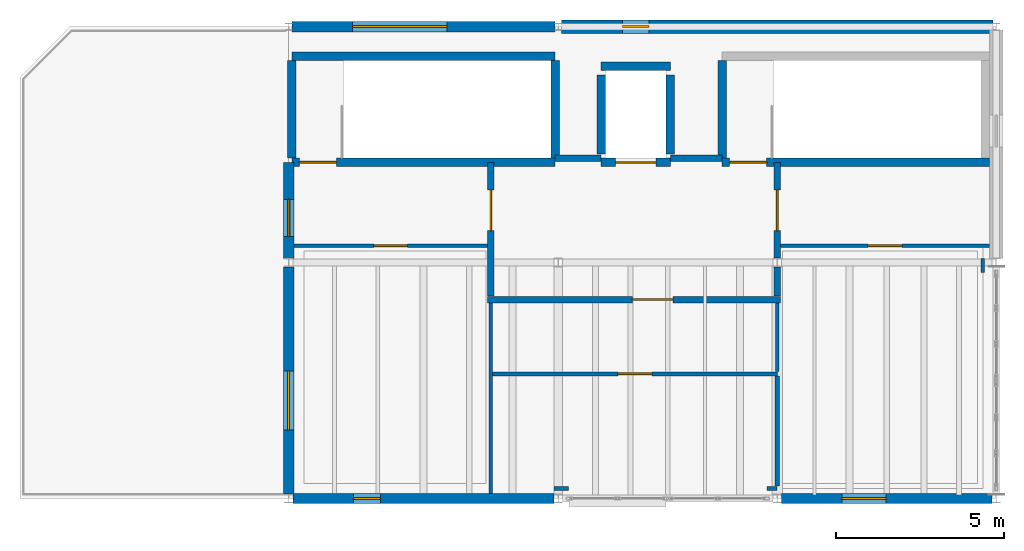
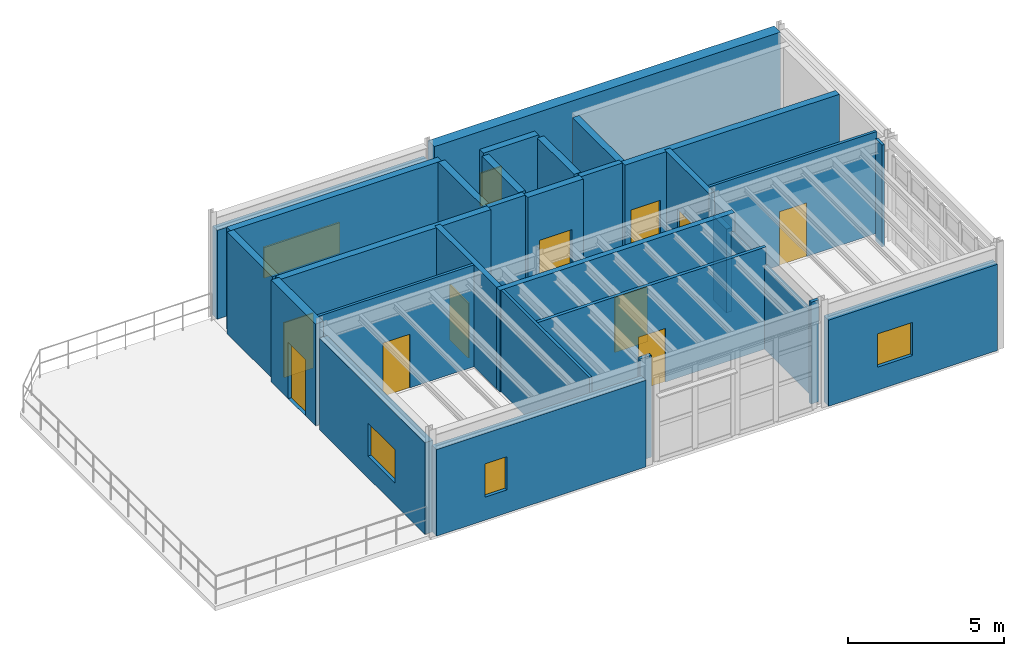
# One storey, part 6 of 8: 31 walls, 10 doors, 5 windows, 15 openings.
"""IFC4 building model written with IfcOpenShell, lengths in metres."""

from ifc_helpers import new_model, si_unit, direction, frame, frame_2d, origin, place, context, subcontext, project, spatial, rectangle, extrude, material, layer, layer_set, type_object, element, fill, save


model = new_model("IFC4")

# Units and contexts
model_context = context("Model", 3, precision=1e-05, world=origin(), true_north=direction((0.0, 1.0)))
body_context = subcontext(model_context, "Body", "Model", "MODEL_VIEW")
ifc_project = project(units=[si_unit("LENGTHUNIT", "METRE"), si_unit("AREAUNIT", "SQUARE_METRE"), si_unit("VOLUMEUNIT", "CUBIC_METRE"), si_unit("PLANEANGLEUNIT", "RADIAN"), si_unit("MASSUNIT", "GRAM", prefix="KILO"), si_unit("THERMODYNAMICTEMPERATUREUNIT", "KELVIN"), si_unit("POWERUNIT", "WATT")], contexts=[model_context])

# Site, building, storey
site_placement = place(None, origin())
site = spatial("IfcSite", under=ifc_project, at=site_placement, CompositionType="ELEMENT")
building_placement = place(site_placement, origin())
building = spatial("IfcBuilding", under=site, at=building_placement, Name="Zhenchuan Central Fire Station", CompositionType="ELEMENT")
storey_placement = place(building_placement, frame((0.0, 0.0, 22.64990234375)))
storey = spatial("IfcBuildingStorey", under=building, at=storey_placement, Name="L06", CompositionType="ELEMENT", Elevation=22.64990234375)

# Wall, opening, window
ifc_material_1 = material(Name="Sintered clay brick masonry MU15", Category="masonry")
ifc_layer_1 = layer(ifc_material_1, 0.300048828125, Name="Sintered clay brick masonry MU15", Category="masonry")
ifc_layer_set_1 = layer_set([ifc_layer_1], Name="Sintered clay brick masonry MU15")
wall_type_1 = type_object("IfcWallType", Name="EW-BRK300", PredefinedType="SOLIDWALL", material=ifc_layer_set_1)
wall_1_placement = place(storey_placement, frame((140.10009765625, 56.5, 0.0), z_axis=(0.0, 0.0, 1.0), x_axis=(1.0, 0.0, 0.0)))
wall_1 = element("IfcWall", 1, at=wall_1_placement, inside=storey, type_object=wall_type_1, Name="EW-L06-V6N-0", PredefinedType="SOLIDWALL", context=body_context, shape_type="SweptSolid", body=[
    extrude(rectangle(XDim=7.7998046875, YDim=0.300048828125, at=frame_2d((3.89990234375, 0.0))), origin(), (0.0, 0.0, 1.0), 3.47412109375),
])
opening_1_placement = place(wall_1_placement, frame((1.800048828125, 0.0, 0.89990234375)))
opening_1 = element("IfcOpeningElement", 2, at=opening_1_placement, cuts=wall_1, Name="Opening W-38", PredefinedType="OPENING", context=body_context, shape_type="SweptSolid", body=[
    extrude(rectangle(XDim=2.800048828125, YDim=1.199951171875, at=frame_2d((1.39990234375, 0.60009765625))), frame((0.0, 0.159912109375, 0.0), z_axis=(0.0, -1.0, 0.0), x_axis=(1.0, 0.0, 0.0)), (0.0, 0.0, 1.0), 0.320068359375),
])
ifc_material_2 = material(Name="Laminated low-E double glazing in aluminium frame", Category="aluminium")
window_type_1 = type_object("IfcWindowType", Name="WN-38", PartitioningType="SINGLE_PANEL", PredefinedType="WINDOW", material=ifc_material_2)
window_1_placement = place(opening_1_placement, origin())
window_1 = element("IfcWindow", 3, at=window_1_placement, inside=storey, type_object=window_type_1, Name="Exterior Window 0138", OverallHeight=1.199951171875, OverallWidth=2.800048828125, PartitioningType="SINGLE_PANEL", PredefinedType="WINDOW", context=body_context, shape_type="SweptSolid", body=[
    extrude(rectangle(XDim=2.800048828125, YDim=1.199951171875, at=frame_2d((1.39990234375, 0.60009765625))), frame((0.0, 0.030029296875, 0.0), z_axis=(0.0, -1.0, 0.0), x_axis=(1.0, 0.0, 0.0)), (0.0, 0.0, 1.0), 0.06005859375),
])
fill(opening_1, window_1)

wall_2_placement = place(storey_placement, frame((140.0, 42.625, 0.0), z_axis=(0.0, 0.0, 1.0), x_axis=(0.0, 1.0, 0.0)))
wall_2 = element("IfcWall", 4, at=wall_2_placement, inside=storey, type_object=wall_type_1, Name="EW-L06-V6W-0", PredefinedType="SOLIDWALL", context=body_context, shape_type="SweptSolid", body=[
    extrude(rectangle(XDim=6.75, YDim=0.300048828125, at=frame_2d((3.375, 0.0))), origin(), (0.0, 0.0, 1.0), 3.583984375),
])
opening_2_placement = place(wall_2_placement, frame((1.89990234375, 0.0, 0.85009765625)))
opening_2 = element("IfcOpeningElement", 5, at=opening_2_placement, cuts=wall_2, Name="Opening W-43", PredefinedType="OPENING", context=body_context, shape_type="SweptSolid", body=[
    extrude(rectangle(XDim=1.75, YDim=1.300048828125, at=frame_2d((0.875, 0.64990234375))), frame((0.0, 0.159912109375, 0.0), z_axis=(0.0, -1.0, 0.0), x_axis=(1.0, 0.0, 0.0)), (0.0, 0.0, 1.0), 0.320068359375),
])
window_type_2 = type_object("IfcWindowType", Name="WN-43", PartitioningType="SINGLE_PANEL", PredefinedType="WINDOW", material=ifc_material_2)
window_2_placement = place(opening_2_placement, origin())
window_2 = element("IfcWindow", 6, at=window_2_placement, inside=storey, type_object=window_type_2, Name="Exterior Window 0141", OverallHeight=1.300048828125, OverallWidth=1.75, PartitioningType="SINGLE_PANEL", PredefinedType="WINDOW", context=body_context, shape_type="SweptSolid", body=[
    extrude(rectangle(XDim=1.75, YDim=1.300048828125, at=frame_2d((0.875, 0.64990234375))), frame((0.0, 0.030029296875, 0.0), z_axis=(0.0, -1.0, 0.0), x_axis=(1.0, 0.0, 0.0)), (0.0, 0.0, 1.0), 0.06005859375),
])
fill(opening_2, window_2)

# Wall, opening, door
wall_3_placement = place(storey_placement, frame((140.0, 49.625, 0.0), z_axis=(0.0, 0.0, 1.0), x_axis=(0.0, 1.0, 0.0)))
wall_3 = element("IfcWall", 7, at=wall_3_placement, inside=storey, type_object=wall_type_1, Name="EW-L06-V6W-1", PredefinedType="SOLIDWALL", context=body_context, shape_type="SweptSolid", body=[
    extrude(rectangle(XDim=2.85009765625, YDim=0.300048828125, at=frame_2d((1.425048828125, 0.0))), origin(), (0.0, 0.0, 1.0), 3.97998046875),
])
opening_3_placement = place(wall_3_placement, frame((0.64990234375, 0.0, 0.0)))
opening_3 = element("IfcOpeningElement", 8, at=opening_3_placement, cuts=wall_3, Name="Opening TD-014", PredefinedType="OPENING", context=body_context, shape_type="SweptSolid", body=[
    extrude(rectangle(XDim=1.10009765625, YDim=2.199951171875, at=frame_2d((0.550048828125, 1.10009765625))), frame((0.0, 0.159912109375, 0.0), z_axis=(0.0, -1.0, 0.0), x_axis=(1.0, 0.0, 0.0)), (0.0, 0.0, 1.0), 0.320068359375),
])
ifc_material_3 = material(Name="Thermally broken aluminium terrace door", Category="aluminium")
door_type_1 = type_object("IfcDoorType", Name="ED-110x220", OperationType="NOTDEFINED", PredefinedType="DOOR", material=ifc_material_3)
door_1_placement = place(opening_3_placement, origin())
door_1 = element("IfcDoor", 9, at=door_1_placement, inside=storey, type_object=door_type_1, Name="Drill Tower L06 Rescue Terrace Door", OperationType="SINGLE_SWING_LEFT", OverallHeight=2.199951171875, OverallWidth=1.10009765625, PredefinedType="DOOR", context=body_context, shape_type="SweptSolid", body=[
    extrude(rectangle(XDim=1.10009765625, YDim=2.199951171875, at=frame_2d((0.550048828125, 1.10009765625))), frame((0.0, 0.02490234375, 0.0), z_axis=(0.0, -1.0, 0.0), x_axis=(1.0, 0.0, 0.0)), (0.0, 0.0, 1.0), 0.050048828125),
])
fill(opening_3, door_1)

# Wall, opening, window
wall_4_placement = place(storey_placement, frame((140.125, 42.5, 0.0), z_axis=(0.0, 0.0, 1.0), x_axis=(1.0, 0.0, 0.0)))
wall_4 = element("IfcWall", 10, at=wall_4_placement, inside=storey, type_object=wall_type_1, Name="EW-L06-V6S-0", PredefinedType="SOLIDWALL", context=body_context, shape_type="SweptSolid", body=[
    extrude(rectangle(XDim=7.75, YDim=0.300048828125, at=frame_2d((3.875, 0.0))), origin(), (0.0, 0.0, 1.0), 3.385986328125),
])
opening_4_placement = place(wall_4_placement, frame((1.800048828125, 0.0, 0.89990234375)))
opening_4 = element("IfcOpeningElement", 11, at=opening_4_placement, cuts=wall_4, Name="Opening W-39", PredefinedType="OPENING", context=body_context, shape_type="SweptSolid", body=[
    extrude(rectangle(XDim=0.800048828125, YDim=1.300048828125, at=frame_2d((0.39990234375, 0.64990234375))), frame((0.0, 0.159912109375, 0.0), z_axis=(0.0, -1.0, 0.0), x_axis=(1.0, 0.0, 0.0)), (0.0, 0.0, 1.0), 0.320068359375),
])
window_type_3 = type_object("IfcWindowType", Name="WN-39", PartitioningType="SINGLE_PANEL", PredefinedType="WINDOW", material=ifc_material_2)
window_3_placement = place(opening_4_placement, origin())
window_3 = element("IfcWindow", 12, at=window_3_placement, inside=storey, type_object=window_type_3, Name="Exterior Window 0142", OverallHeight=1.300048828125, OverallWidth=0.800048828125, PartitioningType="SINGLE_PANEL", PredefinedType="WINDOW", context=body_context, shape_type="SweptSolid", body=[
    extrude(rectangle(XDim=0.800048828125, YDim=1.300048828125, at=frame_2d((0.39990234375, 0.64990234375))), frame((0.0, 0.030029296875, 0.0), z_axis=(0.0, -1.0, 0.0), x_axis=(1.0, 0.0, 0.0)), (0.0, 0.0, 1.0), 0.06005859375),
])
fill(opening_4, window_3)

wall_5_placement = place(storey_placement, frame((154.625, 42.5, 0.0), z_axis=(0.0, 0.0, 1.0), x_axis=(1.0, 0.0, 0.0)))
wall_5 = element("IfcWall", 13, at=wall_5_placement, inside=storey, type_object=wall_type_1, Name="EW-L06-V6S-2", PredefinedType="SOLIDWALL", context=body_context, shape_type="SweptSolid", body=[
    extrude(rectangle(XDim=6.25, YDim=0.300048828125, at=frame_2d((3.125, 0.0))), origin(), (0.0, 0.0, 1.0), 3.3740234375),
])
opening_5_placement = place(wall_5_placement, frame((1.800048828125, 0.0, 0.89990234375)))
opening_5 = element("IfcOpeningElement", 14, at=opening_5_placement, cuts=wall_5, Name="Opening W-41", PredefinedType="OPENING", context=body_context, shape_type="SweptSolid", body=[
    extrude(rectangle(XDim=1.300048828125, YDim=1.300048828125, at=frame_2d((0.64990234375, 0.64990234375))), frame((0.0, 0.159912109375, 0.0), z_axis=(0.0, -1.0, 0.0), x_axis=(1.0, 0.0, 0.0)), (0.0, 0.0, 1.0), 0.320068359375),
])
window_type_4 = type_object("IfcWindowType", Name="WN-41", PartitioningType="SINGLE_PANEL", PredefinedType="WINDOW", material=ifc_material_2)
window_4_placement = place(opening_5_placement, origin())
window_4 = element("IfcWindow", 15, at=window_4_placement, inside=storey, type_object=window_type_4, Name="Exterior Window 0143", OverallHeight=1.300048828125, OverallWidth=1.300048828125, PartitioningType="SINGLE_PANEL", PredefinedType="WINDOW", context=body_context, shape_type="SweptSolid", body=[
    extrude(rectangle(XDim=1.300048828125, YDim=1.300048828125, at=frame_2d((0.64990234375, 0.64990234375))), frame((0.0, 0.030029296875, 0.0), z_axis=(0.0, -1.0, 0.0), x_axis=(1.0, 0.0, 0.0)), (0.0, 0.0, 1.0), 0.06005859375),
])
fill(opening_5, window_4)

ifc_material_4 = material(Name="Concrete C40/50", Category="concrete")
ifc_layer_2 = layer(ifc_material_4, 0.39990234375, Name="Concrete C40/50", Category="concrete")
ifc_layer_set_2 = layer_set([ifc_layer_2], Name="Concrete C40/50")
wall_type_2 = type_object("IfcWallType", Name="EW-RC400", PredefinedType="SHEAR", material=ifc_layer_set_2)
wall_6_placement = place(storey_placement, frame((148.10009765625, 56.5, 0.0), z_axis=(0.0, 0.0, 1.0), x_axis=(1.0, 0.0, 0.0)))
wall_6 = element("IfcWall", 16, at=wall_6_placement, inside=storey, type_object=wall_type_2, Name="EW-L06-V6N-1", PredefinedType="SHEAR", context=body_context, shape_type="SweptSolid", body=[
    extrude(rectangle(XDim=12.7998046875, YDim=0.39990234375, at=frame_2d((6.39990234375, 0.0))), origin(), (0.0, 0.0, 1.0), 3.97998046875),
])
opening_6_placement = place(wall_6_placement, frame((1.800048828125, 0.0, 0.89990234375)))
opening_6 = element("IfcOpeningElement", 17, at=opening_6_placement, cuts=wall_6, Name="Opening W-39", PredefinedType="OPENING", context=body_context, shape_type="SweptSolid", body=[
    extrude(rectangle(XDim=0.800048828125, YDim=1.300048828125, at=frame_2d((0.39990234375, 0.64990234375))), frame((0.0, 0.2099609375, 0.0), z_axis=(0.0, -1.0, 0.0), x_axis=(1.0, 0.0, 0.0)), (0.0, 0.0, 1.0), 0.419921875),
])
window_5_placement = place(opening_6_placement, origin())
window_5 = element("IfcWindow", 18, at=window_5_placement, inside=storey, type_object=window_type_3, Name="Exterior Window 0139", OverallHeight=1.300048828125, OverallWidth=0.800048828125, PartitioningType="SINGLE_PANEL", PredefinedType="WINDOW", context=body_context, shape_type="SweptSolid", body=[
    extrude(rectangle(XDim=0.800048828125, YDim=1.300048828125, at=frame_2d((0.39990234375, 0.64990234375))), frame((0.0, 0.030029296875, 0.0), z_axis=(0.0, -1.0, 0.0), x_axis=(1.0, 0.0, 0.0)), (0.0, 0.0, 1.0), 0.06005859375),
])
fill(opening_6, window_5)

# Walls
ifc_material_5 = material(Name="Autoclaved aerated concrete blockwork", Category="masonry")
ifc_layer_3 = layer(ifc_material_5, 0.199951171875, Name="Autoclaved aerated concrete blockwork", Category="masonry")
ifc_layer_set_3 = layer_set([ifc_layer_3], Name="Autoclaved aerated concrete blockwork")
wall_type_3 = type_object("IfcWallType", Name="IW-FIR200", PredefinedType="PARTITIONING", material=ifc_layer_set_3)
wall_7_placement = place(storey_placement, frame((147.908935546875, 52.60009765625, 0.0), z_axis=(0.0, 0.0, 1.0), x_axis=(1.0, 0.0, 0.0)))
element("IfcWall", 19, at=wall_7_placement, inside=storey, type_object=wall_type_3, Name="L06 Firefighting Lobby North-West Infill Wall", PredefinedType="PARTITIONING", context=body_context, shape_type="SweptSolid", body=[
    extrude(rectangle(XDim=1.362060546875, YDim=0.199951171875, at=frame_2d((0.68115234375, 0.0))), origin(), (0.0, 0.0, 1.0), 3.97998046875),
])
wall_8_placement = place(storey_placement, frame((151.3291015625, 52.60009765625, 0.0), z_axis=(0.0, 0.0, 1.0), x_axis=(1.0, 0.0, 0.0)))
element("IfcWall", 20, at=wall_8_placement, inside=storey, type_object=wall_type_3, Name="L06 Firefighting Lobby North-East Infill Wall", PredefinedType="PARTITIONING", context=body_context, shape_type="SweptSolid", body=[
    extrude(rectangle(XDim=1.531982421875, YDim=0.199951171875, at=frame_2d((0.76611328125, 0.0))), origin(), (0.0, 0.0, 1.0), 3.97998046875),
])

# Wall, opening, door
wall_9_placement = place(storey_placement, frame((145.89990234375, 48.39990234375, 0.0), z_axis=(0.0, 0.0, 1.0), x_axis=(1.0, 0.0, 0.0)))
wall_9 = element("IfcWall", 21, at=wall_9_placement, inside=storey, type_object=wall_type_3, Name="L06 Firefighting Lift Lobby South Wall", PredefinedType="PARTITIONING", context=body_context, shape_type="SweptSolid", body=[
    extrude(rectangle(XDim=8.7001953125, YDim=0.199951171875, at=frame_2d((4.35009765625, 0.0))), origin(), (0.0, 0.0, 1.0), 3.97998046875),
])
opening_7_placement = place(wall_9_placement, frame((4.300048828125, 0.0, 0.0)))
opening_7 = element("IfcOpeningElement", 22, at=opening_7_placement, cuts=wall_9, Name="Opening D-063", PredefinedType="OPENING", context=body_context, shape_type="SweptSolid", body=[
    extrude(rectangle(XDim=1.199951171875, YDim=2.14990234375, at=frame_2d((0.60009765625, 1.074951171875))), frame((0.0, 0.10986328125, 0.0), z_axis=(0.0, -1.0, 0.0), x_axis=(1.0, 0.0, 0.0)), (0.0, 0.0, 1.0), 0.219970703125),
])
ifc_material_6 = material(Name="Smoke-sealed steel fire lobby door", Category="steel")
door_type_2 = type_object("IfcDoorType", Name="ID-FFL-120x215", OperationType="NOTDEFINED", PredefinedType="DOOR", material=ifc_material_6)
door_2_placement = place(opening_7_placement, origin())
door_2 = element("IfcDoor", 23, at=door_2_placement, inside=storey, type_object=door_type_2, Name="L06 Firefighting Lift Lobby South Door", OperationType="SINGLE_SWING_LEFT", OverallHeight=2.14990234375, OverallWidth=1.199951171875, PredefinedType="DOOR", context=body_context, shape_type="SweptSolid", body=[
    extrude(rectangle(XDim=1.199951171875, YDim=2.14990234375, at=frame_2d((0.60009765625, 1.074951171875))), frame((0.0, 0.02490234375, 0.0), z_axis=(0.0, -1.0, 0.0), x_axis=(1.0, 0.0, 0.0)), (0.0, 0.0, 1.0), 0.050048828125),
])
fill(opening_7, door_2)

wall_10_placement = place(storey_placement, frame((146.0, 48.50390625, 0.0), z_axis=(0.0, 0.0, 1.0), x_axis=(0.0, 1.0, 0.0)))
wall_10 = element("IfcWall", 24, at=wall_10_placement, inside=storey, type_object=wall_type_3, Name="L06 Firefighting Lift Lobby West Wall", PredefinedType="PARTITIONING", context=body_context, shape_type="SweptSolid", body=[
    extrude(rectangle(XDim=3.967041015625, YDim=0.199951171875, at=frame_2d((1.9833984375, 0.0))), origin(), (0.0, 0.0, 1.0), 3.97998046875),
])
opening_8_placement = place(wall_10_placement, frame((1.946044921875, 0.0, 0.0)))
opening_8 = element("IfcOpeningElement", 25, at=opening_8_placement, cuts=wall_10, Name="Opening D-064", PredefinedType="OPENING", context=body_context, shape_type="SweptSolid", body=[
    extrude(rectangle(XDim=1.199951171875, YDim=2.14990234375, at=frame_2d((0.60009765625, 1.074951171875))), frame((0.0, 0.10986328125, 0.0), z_axis=(0.0, -1.0, 0.0), x_axis=(1.0, 0.0, 0.0)), (0.0, 0.0, 1.0), 0.219970703125),
])
door_3_placement = place(opening_8_placement, origin())
door_3 = element("IfcDoor", 26, at=door_3_placement, inside=storey, type_object=door_type_2, Name="L06 Firefighting Lift Lobby West Door", OperationType="SINGLE_SWING_RIGHT", OverallHeight=2.14990234375, OverallWidth=1.199951171875, PredefinedType="DOOR", context=body_context, shape_type="SweptSolid", body=[
    extrude(rectangle(XDim=1.199951171875, YDim=2.14990234375, at=frame_2d((0.60009765625, 1.074951171875))), frame((0.0, 0.02490234375, 0.0), z_axis=(0.0, -1.0, 0.0), x_axis=(1.0, 0.0, 0.0)), (0.0, 0.0, 1.0), 0.050048828125),
])
fill(opening_8, door_3)

# Wall
wall_11_placement = place(storey_placement, frame((154.5, 48.50390625, 0.0), z_axis=(0.0, 0.0, 1.0), x_axis=(0.0, 1.0, 0.0)))
element("IfcWall", 27, at=wall_11_placement, inside=storey, type_object=wall_type_3, Name="L06 Firefighting Lift Lobby South-East Pier Wall", PredefinedType="PARTITIONING", context=body_context, shape_type="SweptSolid", body=[
    extrude(rectangle(XDim=0.8671875, YDim=0.199951171875, at=frame_2d((0.43359375, 0.0))), origin(), (0.0, 0.0, 1.0), 3.274169921875),
])

# Wall, opening, door
wall_12_placement = place(storey_placement, frame((154.5, 49.62890625, 0.0), z_axis=(0.0, 0.0, 1.0), x_axis=(0.0, 1.0, 0.0)))
wall_12 = element("IfcWall", 28, at=wall_12_placement, inside=storey, type_object=wall_type_3, Name="L06 Firefighting Lift Lobby East Wall", PredefinedType="PARTITIONING", context=body_context, shape_type="SweptSolid", body=[
    extrude(rectangle(XDim=2.842041015625, YDim=0.199951171875, at=frame_2d((1.4208984375, 0.0))), origin(), (0.0, 0.0, 1.0), 3.97998046875),
])
opening_9_placement = place(wall_12_placement, frame((0.821044921875, 0.0, 0.0)))
opening_9 = element("IfcOpeningElement", 29, at=opening_9_placement, cuts=wall_12, Name="Opening D-065", PredefinedType="OPENING", context=body_context, shape_type="SweptSolid", body=[
    extrude(rectangle(XDim=1.199951171875, YDim=2.14990234375, at=frame_2d((0.60009765625, 1.074951171875))), frame((0.0, 0.10986328125, 0.0), z_axis=(0.0, -1.0, 0.0), x_axis=(1.0, 0.0, 0.0)), (0.0, 0.0, 1.0), 0.219970703125),
])
door_4_placement = place(opening_9_placement, origin())
door_4 = element("IfcDoor", 30, at=door_4_placement, inside=storey, type_object=door_type_2, Name="L06 Firefighting Lift Lobby East Door", OperationType="SINGLE_SWING_LEFT", OverallHeight=2.14990234375, OverallWidth=1.199951171875, PredefinedType="DOOR", context=body_context, shape_type="SweptSolid", body=[
    extrude(rectangle(XDim=1.199951171875, YDim=2.14990234375, at=frame_2d((0.60009765625, 1.074951171875))), frame((0.0, 0.02490234375, 0.0), z_axis=(0.0, -1.0, 0.0), x_axis=(1.0, 0.0, 0.0)), (0.0, 0.0, 1.0), 0.050048828125),
])
fill(opening_9, door_4)

ifc_material_7 = material(Name="Gypsum plasterboard on steel studs", Category="gypsum")
ifc_layer_4 = layer(ifc_material_7, 0.10009765625, Name="Gypsum plasterboard on steel studs", Category="gypsum")
ifc_layer_set_4 = layer_set([ifc_layer_4], Name="Gypsum plasterboard on steel studs")
wall_type_4 = type_object("IfcWallType", Name="IW-GYP100", PredefinedType="PARTITIONING", material=ifc_layer_set_4)
wall_13_placement = place(storey_placement, frame((140.153076171875, 50.0, 0.0), z_axis=(0.0, 0.0, 1.0), x_axis=(1.0, 0.0, 0.0)))
wall_13 = element("IfcWall", 31, at=wall_13_placement, inside=storey, type_object=wall_type_4, Name="High-Angle Rescue Training Room N Partition", PredefinedType="PARTITIONING", context=body_context, shape_type="SweptSolid", body=[
    extrude(rectangle(XDim=5.743896484375, YDim=0.10009765625, at=frame_2d((2.8720703125, 0.0))), origin(), (0.0, 0.0, 1.0), 3.97998046875),
])
opening_10_placement = place(wall_13_placement, frame((2.3720703125, 0.0, 0.0)))
opening_10 = element("IfcOpeningElement", 32, at=opening_10_placement, cuts=wall_13, Name="Opening D-186", PredefinedType="OPENING", context=body_context, shape_type="SweptSolid", body=[
    extrude(rectangle(XDim=1.0, YDim=2.10009765625, at=frame_2d((0.5, 1.050048828125))), frame((0.0, 0.06005859375, 0.0), z_axis=(0.0, -1.0, 0.0), x_axis=(1.0, 0.0, 0.0)), (0.0, 0.0, 1.0), 0.1201171875),
])
ifc_material_8 = material(Name="Solid-core timber office door", Category="wood")
door_type_3 = type_object("IfcDoorType", Name="ID-OFF-100x210", OperationType="NOTDEFINED", PredefinedType="DOOR", material=ifc_material_8)
door_5_placement = place(opening_10_placement, origin())
door_5 = element("IfcDoor", 33, at=door_5_placement, inside=storey, type_object=door_type_3, Name="High-Angle Rescue Training Room Door", OperationType="SINGLE_SWING_RIGHT", OverallHeight=2.10009765625, OverallWidth=1.0, PredefinedType="DOOR", context=body_context, shape_type="SweptSolid", body=[
    extrude(rectangle(XDim=1.0, YDim=2.10009765625, at=frame_2d((0.5, 1.050048828125))), frame((0.0, 0.02490234375, 0.0), z_axis=(0.0, -1.0, 0.0), x_axis=(1.0, 0.0, 0.0)), (0.0, 0.0, 1.0), 0.050048828125),
])
fill(opening_10, door_5)

# Wall
wall_14_placement = place(storey_placement, frame((146.0, 42.653076171875, 0.0), z_axis=(0.0, 0.0, 1.0), x_axis=(0.0, 1.0, 0.0)))
element("IfcWall", 34, at=wall_14_placement, inside=storey, type_object=wall_type_4, Name="High-Angle Rescue Training Room E Partition", PredefinedType="PARTITIONING", context=body_context, shape_type="SweptSolid", body=[
    extrude(rectangle(XDim=5.64404296875, YDim=0.10009765625, at=frame_2d((2.822021484375, 0.0))), origin(), (0.0, 0.0, 1.0), 3.97998046875),
])

# Wall, opening, door
wall_15_placement = place(storey_placement, frame((154.60302734375, 50.0, 0.0), z_axis=(0.0, 0.0, 1.0), x_axis=(1.0, 0.0, 0.0)))
wall_15 = element("IfcWall", 35, at=wall_15_placement, inside=storey, type_object=wall_type_4, Name="Tower Observation Control Room N Partition", PredefinedType="PARTITIONING", context=body_context, shape_type="SweptSolid", body=[
    extrude(rectangle(XDim=6.194091796875, YDim=0.10009765625, at=frame_2d((3.09716796875, 0.0))), origin(), (0.0, 0.0, 1.0), 3.97998046875),
])
opening_11_placement = place(wall_15_placement, frame((2.596923828125, 0.0, 0.0)))
opening_11 = element("IfcOpeningElement", 36, at=opening_11_placement, cuts=wall_15, Name="Opening D-188", PredefinedType="OPENING", context=body_context, shape_type="SweptSolid", body=[
    extrude(rectangle(XDim=1.0, YDim=2.10009765625, at=frame_2d((0.5, 1.050048828125))), frame((0.0, 0.06005859375, 0.0), z_axis=(0.0, -1.0, 0.0), x_axis=(1.0, 0.0, 0.0)), (0.0, 0.0, 1.0), 0.1201171875),
])
door_6_placement = place(opening_11_placement, origin())
door_6 = element("IfcDoor", 37, at=door_6_placement, inside=storey, type_object=door_type_3, Name="Tower Observation Control Room Door", OperationType="SINGLE_SWING_RIGHT", OverallHeight=2.10009765625, OverallWidth=1.0, PredefinedType="DOOR", context=body_context, shape_type="SweptSolid", body=[
    extrude(rectangle(XDim=1.0, YDim=2.10009765625, at=frame_2d((0.5, 1.050048828125))), frame((0.0, 0.02490234375, 0.0), z_axis=(0.0, -1.0, 0.0), x_axis=(1.0, 0.0, 0.0)), (0.0, 0.0, 1.0), 0.050048828125),
])
fill(opening_11, door_6)

# Walls
wall_16_placement = place(storey_placement, frame((154.5, 46.262939453125, 0.0), z_axis=(0.0, 0.0, 1.0), x_axis=(0.0, 1.0, 0.0)))
element("IfcWall", 38, at=wall_16_placement, inside=storey, type_object=wall_type_4, Name="Tower Observation Control Room W Partition", PredefinedType="PARTITIONING", context=body_context, shape_type="SweptSolid", body=[
    extrude(rectangle(XDim=2.0341796875, YDim=0.10009765625, at=frame_2d((1.01708984375, 0.0))), origin(), (0.0, 0.0, 1.0), 3.274169921875),
])
wall_17_placement = place(storey_placement, frame((160.60009765625, 49.202880859375, 0.0), z_axis=(0.0, 0.0, 1.0), x_axis=(0.0, 1.0, 0.0)))
element("IfcWall", 39, at=wall_17_placement, inside=storey, type_object=wall_type_4, Name="Tower Observation Control Room E Partition", PredefinedType="PARTITIONING", context=body_context, shape_type="SweptSolid", body=[
    extrude(rectangle(XDim=0.419189453125, YDim=0.10009765625, at=frame_2d((0.20947265625, 0.0))), origin(), (0.0, 0.0, 1.0), 3.97998046875),
])
ifc_layer_5 = layer(ifc_material_7, 0.1201171875, Name="Gypsum plasterboard on steel studs", Category="gypsum")
ifc_layer_set_5 = layer_set([ifc_layer_5], Name="Gypsum plasterboard on steel studs")
wall_type_5 = type_object("IfcWallType", Name="IW-GYP120", PredefinedType="PARTITIONING", material=ifc_layer_set_5)
wall_18_placement = place(storey_placement, frame((147.8779296875, 42.800048828125, 0.0), z_axis=(0.0, 0.0, 1.0), x_axis=(1.0, 0.0, 0.0)))
element("IfcWall", 40, at=wall_18_placement, inside=storey, type_object=wall_type_5, Name="Thermal Search Chamber S Partition 1", PredefinedType="PARTITIONING", context=body_context, shape_type="SweptSolid", body=[
    extrude(rectangle(XDim=0.419189453125, YDim=0.1201171875, at=frame_2d((0.20947265625, 0.0))), origin(), (0.0, 0.0, 1.0), 3.97998046875),
])
wall_19_placement = place(storey_placement, frame((154.202880859375, 42.800048828125, 0.0), z_axis=(0.0, 0.0, 1.0), x_axis=(1.0, 0.0, 0.0)))
element("IfcWall", 41, at=wall_19_placement, inside=storey, type_object=wall_type_5, Name="Thermal Search Chamber S Partition 2", PredefinedType="PARTITIONING", context=body_context, shape_type="SweptSolid", body=[
    extrude(rectangle(XDim=0.297119140625, YDim=0.1201171875, at=frame_2d((0.1484375, 0.0))), origin(), (0.0, 0.0, 1.0), 3.97998046875),
])

# Wall, opening, door
wall_20_placement = place(storey_placement, frame((146.052978515625, 46.199951171875, 0.0), z_axis=(0.0, 0.0, 1.0), x_axis=(1.0, 0.0, 0.0)))
wall_20 = element("IfcWall", 42, at=wall_20_placement, inside=storey, type_object=wall_type_5, Name="Thermal Search Chamber N Partition", PredefinedType="PARTITIONING", context=body_context, shape_type="SweptSolid", body=[
    extrude(rectangle(XDim=8.447021484375, YDim=0.1201171875, at=frame_2d((4.2236328125, 0.0))), origin(), (0.0, 0.0, 1.0), 3.97998046875),
])
opening_12_placement = place(wall_20_placement, frame((3.723388671875, 0.0, 0.0)))
opening_12 = element("IfcOpeningElement", 43, at=opening_12_placement, cuts=wall_20, Name="Opening D-187", PredefinedType="OPENING", context=body_context, shape_type="SweptSolid", body=[
    extrude(rectangle(XDim=1.0, YDim=2.10009765625, at=frame_2d((0.5, 1.050048828125))), frame((0.0, 0.070068359375, 0.0), z_axis=(0.0, -1.0, 0.0), x_axis=(1.0, 0.0, 0.0)), (0.0, 0.0, 1.0), 0.14013671875),
])
door_7_placement = place(opening_12_placement, origin())
door_7 = element("IfcDoor", 44, at=door_7_placement, inside=storey, type_object=door_type_3, Name="Thermal Search Chamber Door", OperationType="SINGLE_SWING_LEFT", OverallHeight=2.10009765625, OverallWidth=1.0, PredefinedType="DOOR", context=body_context, shape_type="SweptSolid", body=[
    extrude(rectangle(XDim=1.0, YDim=2.10009765625, at=frame_2d((0.5, 1.050048828125))), frame((0.0, 0.02490234375, 0.0), z_axis=(0.0, -1.0, 0.0), x_axis=(1.0, 0.0, 0.0)), (0.0, 0.0, 1.0), 0.050048828125),
])
fill(opening_12, door_7)

# Wall
wall_21_placement = place(storey_placement, frame((154.5, 42.863037109375, 0.0), z_axis=(0.0, 0.0, 1.0), x_axis=(0.0, 1.0, 0.0)))
element("IfcWall", 45, at=wall_21_placement, inside=storey, type_object=wall_type_5, Name="Thermal Search Chamber E Partition", PredefinedType="PARTITIONING", context=body_context, shape_type="SweptSolid", body=[
    extrude(rectangle(XDim=3.27392578125, YDim=0.1201171875, at=frame_2d((1.636962890625, 0.0))), origin(), (0.0, 0.0, 1.0), 3.274169921875),
])

# Wall, opening, door
ifc_layer_6 = layer(ifc_material_4, 0.25, Name="Concrete C40/50", Category="concrete")
ifc_layer_set_6 = layer_set([ifc_layer_6], Name="Concrete C40/50")
wall_type_6 = type_object("IfcWallType", Name="IW-SHR250", PredefinedType="SHEAR", material=ifc_layer_set_6)
wall_22_placement = place(storey_placement, frame((140.094970703125, 52.47509765625, 0.0), z_axis=(0.0, 0.0, 1.0), x_axis=(1.0, 0.0, 0.0)))
wall_22 = element("IfcWall", 46, at=wall_22_placement, inside=storey, type_object=wall_type_6, Name="ST-12 L06 South Core Wall", PredefinedType="SHEAR", context=body_context, shape_type="SweptSolid", body=[
    extrude(rectangle(XDim=7.81005859375, YDim=0.25, at=frame_2d((3.905029296875, 0.0))), origin(), (0.0, 0.0, 1.0), 3.97998046875),
])
opening_13_placement = place(wall_22_placement, frame((0.219970703125, 0.0, 0.0)))
opening_13 = element("IfcOpeningElement", 47, at=opening_13_placement, cuts=wall_22, Name="Opening D-035", PredefinedType="OPENING", context=body_context, shape_type="SweptSolid", body=[
    extrude(rectangle(XDim=1.10009765625, YDim=2.14990234375, at=frame_2d((0.550048828125, 1.074951171875))), frame((0.0, 0.135009765625, 0.0), z_axis=(0.0, -1.0, 0.0), x_axis=(1.0, 0.0, 0.0)), (0.0, 0.0, 1.0), 0.27001953125),
])
ifc_material_9 = material(Name="Painted steel acoustic fire door", Category="steel")
door_type_4 = type_object("IfcDoorType", Name="ID-ST-110x215", OperationType="NOTDEFINED", PredefinedType="DOOR", material=ifc_material_9)
door_8_placement = place(opening_13_placement, frame((1.10009765625, 0.0, 0.0), z_axis=(0.0, 0.0, 1.0), x_axis=(-1.0, 0.0, 0.0)))
door_8 = element("IfcDoor", 48, at=door_8_placement, inside=storey, type_object=door_type_4, Name="ST-12 L06 Fire Door", OperationType="SINGLE_SWING_LEFT", OverallHeight=2.14990234375, OverallWidth=1.10009765625, PredefinedType="DOOR", context=body_context, shape_type="SweptSolid", body=[
    extrude(rectangle(XDim=1.10009765625, YDim=2.14990234375, at=frame_2d((0.550048828125, 1.074951171875))), frame((0.0, 0.02490234375, 0.0), z_axis=(0.0, -1.0, 0.0), x_axis=(1.0, 0.0, 0.0)), (0.0, 0.0, 1.0), 0.050048828125),
])
fill(opening_13, door_8)

# Walls
wall_23_placement = place(storey_placement, frame((140.094970703125, 55.625, 0.0), z_axis=(0.0, 0.0, 1.0), x_axis=(1.0, 0.0, 0.0)))
element("IfcWall", 49, at=wall_23_placement, inside=storey, type_object=wall_type_6, Name="ST-12 L06 North Core Wall", PredefinedType="SHEAR", context=body_context, shape_type="SweptSolid", body=[
    extrude(rectangle(XDim=7.81005859375, YDim=0.25, at=frame_2d((3.905029296875, 0.0))), origin(), (0.0, 0.0, 1.0), 3.97998046875),
])
for number, where, z_axis, x_axis, name in (
    (50, (140.094970703125, 52.60009765625, 0.0), (0.0, 0.0, 1.0), (0.0, 1.0, 0.0), "ST-12 L06 West Core Wall"),
    (51, (147.905029296875, 52.60009765625, 0.0), (0.0, 0.0, 1.0), (0.0, 1.0, 0.0), "ST-12 L06 East Core Wall"),
):
    element("IfcWall", number, at=place(storey_placement, frame(where, z_axis=z_axis, x_axis=x_axis)), inside=storey, type_object=wall_type_6, Name=name, PredefinedType="SHEAR", context=body_context, shape_type="SweptSolid", body=[
        extrude(rectangle(XDim=2.89990234375, YDim=0.25, at=frame_2d((1.449951171875, 0.0))), origin(), (0.0, 0.0, 1.0), 3.97998046875),
    ])

# Wall, opening, door
wall_24_placement = place(storey_placement, frame((152.864990234375, 52.47509765625, 0.0), z_axis=(0.0, 0.0, 1.0), x_axis=(1.0, 0.0, 0.0)))
wall_24 = element("IfcWall", 52, at=wall_24_placement, inside=storey, type_object=wall_type_6, Name="ST-13 L06 South Core Wall", PredefinedType="SHEAR", context=body_context, shape_type="SweptSolid", body=[
    extrude(rectangle(XDim=7.93505859375, YDim=0.25, at=frame_2d((3.967529296875, 0.0))), origin(), (0.0, 0.0, 1.0), 3.97998046875),
])
opening_14_placement = place(wall_24_placement, frame((0.219970703125, 0.0, 0.0)))
opening_14 = element("IfcOpeningElement", 53, at=opening_14_placement, cuts=wall_24, Name="Opening D-041", PredefinedType="OPENING", context=body_context, shape_type="SweptSolid", body=[
    extrude(rectangle(XDim=1.10009765625, YDim=2.14990234375, at=frame_2d((0.550048828125, 1.074951171875))), frame((0.0, 0.135009765625, 0.0), z_axis=(0.0, -1.0, 0.0), x_axis=(1.0, 0.0, 0.0)), (0.0, 0.0, 1.0), 0.27001953125),
])
door_9_placement = place(opening_14_placement, frame((1.10009765625, 0.0, 0.0), z_axis=(0.0, 0.0, 1.0), x_axis=(-1.0, 0.0, 0.0)))
door_9 = element("IfcDoor", 54, at=door_9_placement, inside=storey, type_object=door_type_4, Name="ST-13 L06 Fire Door", OperationType="SINGLE_SWING_LEFT", OverallHeight=2.14990234375, OverallWidth=1.10009765625, PredefinedType="DOOR", context=body_context, shape_type="SweptSolid", body=[
    extrude(rectangle(XDim=1.10009765625, YDim=2.14990234375, at=frame_2d((0.550048828125, 1.074951171875))), frame((0.0, 0.02490234375, 0.0), z_axis=(0.0, -1.0, 0.0), x_axis=(1.0, 0.0, 0.0)), (0.0, 0.0, 1.0), 0.050048828125),
])
fill(opening_14, door_9)

# Wall
wall_25_placement = place(storey_placement, frame((152.864990234375, 52.60009765625, 0.0), z_axis=(0.0, 0.0, 1.0), x_axis=(0.0, 1.0, 0.0)))
element("IfcWall", 55, at=wall_25_placement, inside=storey, type_object=wall_type_6, Name="ST-13 L06 West Core Wall", PredefinedType="SHEAR", context=body_context, shape_type="SweptSolid", body=[
    extrude(rectangle(XDim=2.89990234375, YDim=0.25, at=frame_2d((1.449951171875, 0.0))), origin(), (0.0, 0.0, 1.0), 3.97998046875),
])

# Wall, opening, door
wall_26_placement = place(storey_placement, frame((149.27490234375, 52.47509765625, 0.0), z_axis=(0.0, 0.0, 1.0), x_axis=(1.0, 0.0, 0.0)))
wall_26 = element("IfcWall", 56, at=wall_26_placement, inside=storey, type_object=wall_type_6, Name="Lift FL-01 L06 South Shaft Wall", PredefinedType="SHEAR", context=body_context, shape_type="SweptSolid", body=[
    extrude(rectangle(XDim=2.050048828125, YDim=0.25, at=frame_2d((1.02490234375, 0.0))), origin(), (0.0, 0.0, 1.0), 3.97998046875),
])
opening_15_placement = place(wall_26_placement, frame((0.425048828125, 0.0, 0.0)))
opening_15 = element("IfcOpeningElement", 57, at=opening_15_placement, cuts=wall_26, Name="Opening LD-006", PredefinedType="OPENING", context=body_context, shape_type="SweptSolid", body=[
    extrude(rectangle(XDim=1.199951171875, YDim=2.14990234375, at=frame_2d((0.60009765625, 1.074951171875))), frame((0.0, 0.135009765625, 0.0), z_axis=(0.0, -1.0, 0.0), x_axis=(1.0, 0.0, 0.0)), (0.0, 0.0, 1.0), 0.27001953125),
])
ifc_material_10 = material(Name="Brushed stainless steel sliding landing door", Category="steel")
door_type_5 = type_object("IfcDoorType", Name="ID-LD-120x215", OperationType="NOTDEFINED", PredefinedType="DOOR", material=ifc_material_10)
door_10_placement = place(opening_15_placement, origin())
door_10 = element("IfcDoor", 58, at=door_10_placement, inside=storey, type_object=door_type_5, Name="Lift FL-01 L06 Sliding Landing Door", OperationType="DOUBLE_DOOR_SLIDING", OverallHeight=2.14990234375, OverallWidth=1.199951171875, PredefinedType="DOOR", context=body_context, shape_type="SweptSolid", body=[
    extrude(rectangle(XDim=1.199951171875, YDim=2.14990234375, at=frame_2d((0.60009765625, 1.074951171875))), frame((0.0, 0.02490234375, 0.0), z_axis=(0.0, -1.0, 0.0), x_axis=(1.0, 0.0, 0.0)), (0.0, 0.0, 1.0), 0.050048828125),
])
fill(opening_15, door_10)

# Walls
wall_27_placement = place(storey_placement, frame((149.27490234375, 55.324951171875, 0.0), z_axis=(0.0, 0.0, 1.0), x_axis=(1.0, 0.0, 0.0)))
element("IfcWall", 59, at=wall_27_placement, inside=storey, type_object=wall_type_6, Name="Lift FL-01 L06 North Shaft Wall", PredefinedType="SHEAR", context=body_context, shape_type="SweptSolid", body=[
    extrude(rectangle(XDim=2.050048828125, YDim=0.25, at=frame_2d((1.02490234375, 0.0))), origin(), (0.0, 0.0, 1.0), 3.97998046875),
])
for number, where, z_axis, x_axis, name in (
    (60, (149.27490234375, 52.72509765625, 0.0), (0.0, 0.0, 1.0), (0.0, 1.0, 0.0), "Lift FL-01 L06 West Shaft Wall"),
    (61, (151.324951171875, 52.72509765625, 0.0), (0.0, 0.0, 1.0), (0.0, 1.0, 0.0), "Lift FL-01 L06 East Shaft Wall"),
):
    element("IfcWall", number, at=place(storey_placement, frame(where, z_axis=z_axis, x_axis=x_axis)), inside=storey, type_object=wall_type_6, Name=name, PredefinedType="SHEAR", context=body_context, shape_type="SweptSolid", body=[
        extrude(rectangle(XDim=2.349853515625, YDim=0.25, at=frame_2d((1.1748046875, 0.0))), origin(), (0.0, 0.0, 1.0), 3.97998046875),
    ])

save(model, "model.ifc")
